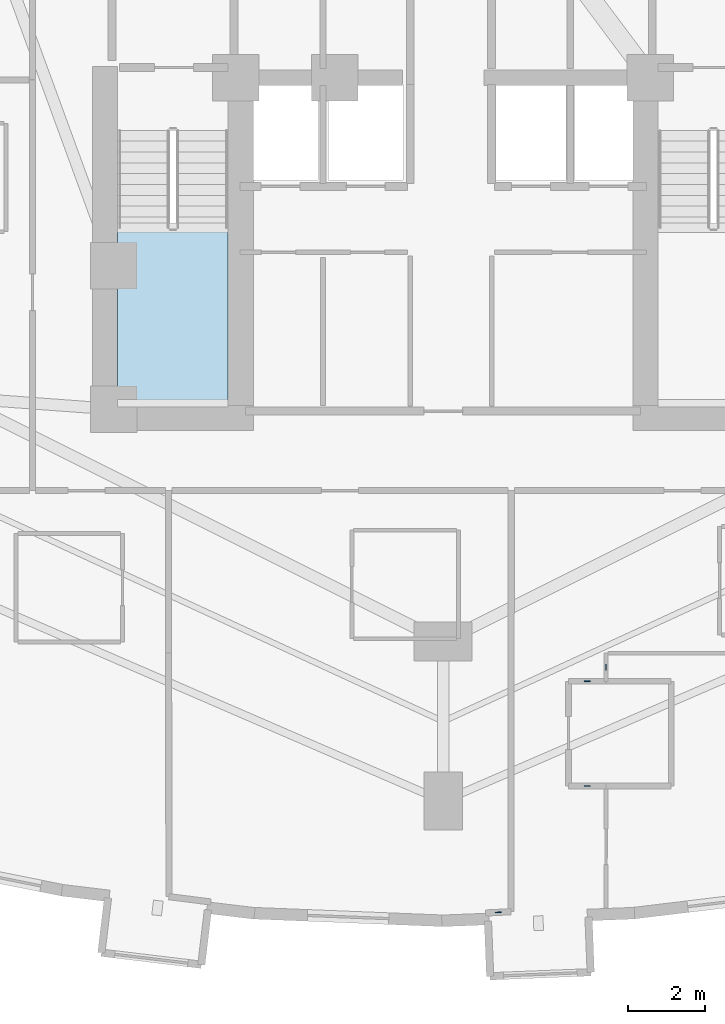
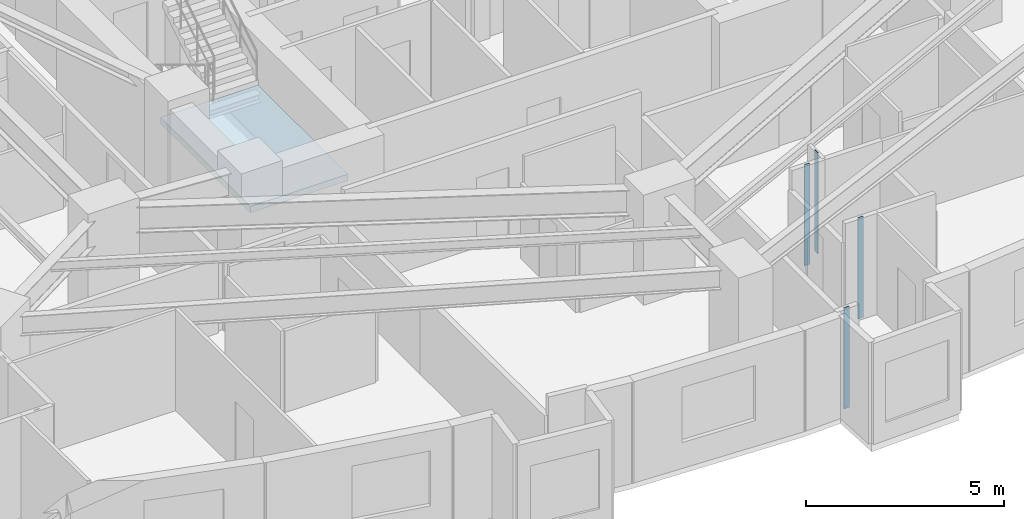
# One storey, part 3 of 15: 4 plates, 1 slab, 1 element without a shape of its own.
"""IFC4 building model written with IfcOpenShell, lengths in metres."""

from ifc_helpers import new_model, si_unit, direction, frame, origin, origin_2d, place, context, subcontext, project, spatial, polyline, rectangle, outline, extrude, material, layer, layer_set, type_object, element, aggregate, save


model = new_model("IFC4")

# Units and contexts
model_context = context("Model", 3, precision=1e-05, world=origin(), true_north=direction((0.0, 1.0)))
body_context = subcontext(model_context, "Body", "Model", "MODEL_VIEW")
ifc_project = project(units=[si_unit("LENGTHUNIT", "METRE"), si_unit("AREAUNIT", "SQUARE_METRE"), si_unit("VOLUMEUNIT", "CUBIC_METRE"), si_unit("PLANEANGLEUNIT", "RADIAN"), si_unit("MASSUNIT", "GRAM", prefix="KILO")], contexts=[model_context])

# Site, building, storey
site_placement = place(None, origin())
site = spatial("IfcSite", under=ifc_project, at=site_placement, CompositionType="ELEMENT")
building_placement = place(site_placement, origin())
building = spatial("IfcBuilding", under=site, at=building_placement, Name="Miruveldt Soraemaru", CompositionType="ELEMENT")
storey_placement = place(building_placement, frame((0.0, 0.0, 39.39990234375)))
storey = spatial("IfcBuildingStorey", under=building, at=storey_placement, Name="L10", CompositionType="ELEMENT", Elevation=39.39990234375)

# Plates
ifc_material_1 = material(Name="Anodised aluminium EN AW-6063 T6", Category="aluminium")
ifc_layer_1 = layer(ifc_material_1, 0.02001953125, Name="Anodised aluminium EN AW-6063 T6", Category="aluminium")
ifc_layer_set_1 = layer_set([ifc_layer_1], Name="Anodised aluminium EN AW-6063 T6")
plate_type = type_object("IfcPlateType", Name="PLT-PART-TRIM", PredefinedType="SHEET", material=ifc_layer_set_1)
for number, where, z_axis, x_axis, name in (
    (1, (47.720947265625, 28.47509765625, 0.0), (0.0, 0.0, 1.0), (-1.0, 0.0, 0.0), "L10 Partition Step Corner Trim Plate 112"),
    (2, (47.720947265625, 25.77490234375, 0.0), (0.0, 0.0, 1.0), (1.0, 0.0, 0.0), "L10 Partition Step Corner Trim Plate 114"),
    (3, (48.2060546875, 28.83740234375, 0.0), (0.0, 0.0, 1.0), (0.0, 1.0, 0.0), "L10 Partition Step Corner Trim Plate 120"),
    (4, (45.4248046875, 22.511474609375, 0.0), (0.0, 0.0, 1.0), (-0.998728172107, -0.050418629896, 0.0), "L10 Partition Step Corner Trim Plate 003"),
):
    element("IfcPlate", number, at=place(storey_placement, frame(where, z_axis=z_axis, x_axis=x_axis)), inside=storey, type_object=plate_type, Name=name, PredefinedType="SHEET", context=body_context, shape_type="SweptSolid", body=[
        extrude(rectangle(XDim=0.159912109375, YDim=0.02001953125, at=origin_2d()), origin(), (0.0, 0.0, 1.0), 3.125),
    ])

# Stair, slab
ifc_material_2 = material(Name="Concrete C40/50 (40 MPa)", Category="concrete")
stair_type = type_object("IfcStairType", Name="STAIR-DL-340", PredefinedType="HALF_TURN_STAIR", material=ifc_material_2)
stair_placement = place(storey_placement, origin())
stair = element("IfcStair", 5, at=stair_placement, inside=storey, type_object=stair_type, Name="L10 Protected Exit Stair ST-1", PredefinedType="HALF_TURN_STAIR")
ifc_layer_2 = layer(ifc_material_2, 0.199951171875, Name="Concrete C40/50 (40 MPa)", Category="concrete")
ifc_layer_set_2 = layer_set([ifc_layer_2], Name="Concrete C40/50 (40 MPa)")
slab_type = type_object("IfcSlabType", Name="SLAB-LAND-200", PredefinedType="LANDING", material=ifc_layer_set_2)
slab_placement = place(storey_placement, frame((0.0, 0.0, 1.5)))
slab = element("IfcSlab", 6, at=slab_placement, type_object=slab_type, Name="ST-1 landing 1", PredefinedType="LANDING", context=body_context, shape_type="SweptSolid", body=[
    extrude(outline(polyline([(35.60009765625, 40.197998046875), (35.60009765625, 35.64990234375), (38.449951171875, 35.64990234375), (38.449951171875, 40.197998046875), (35.60009765625, 40.197998046875)])), origin(), (0.0, 0.0, 1.0), 0.2001953125),
])
aggregate(stair, [slab])

save(model, "model.ifc")
